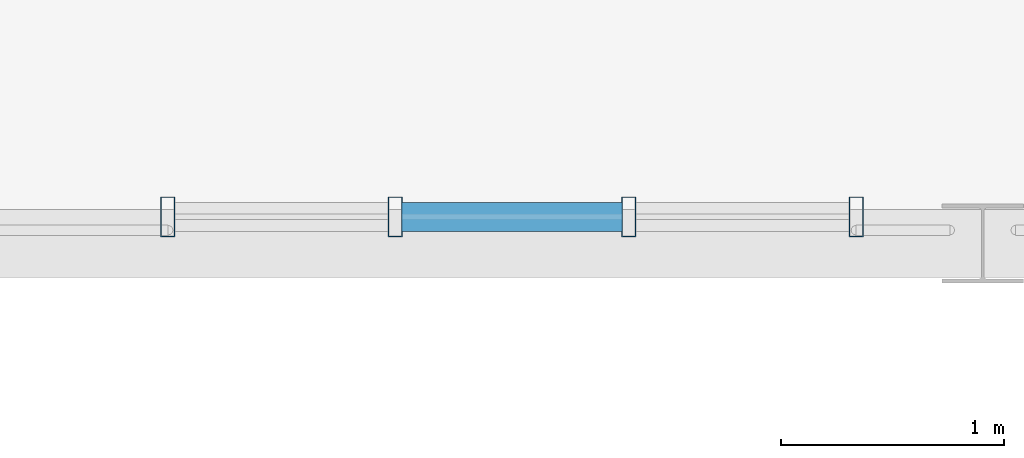
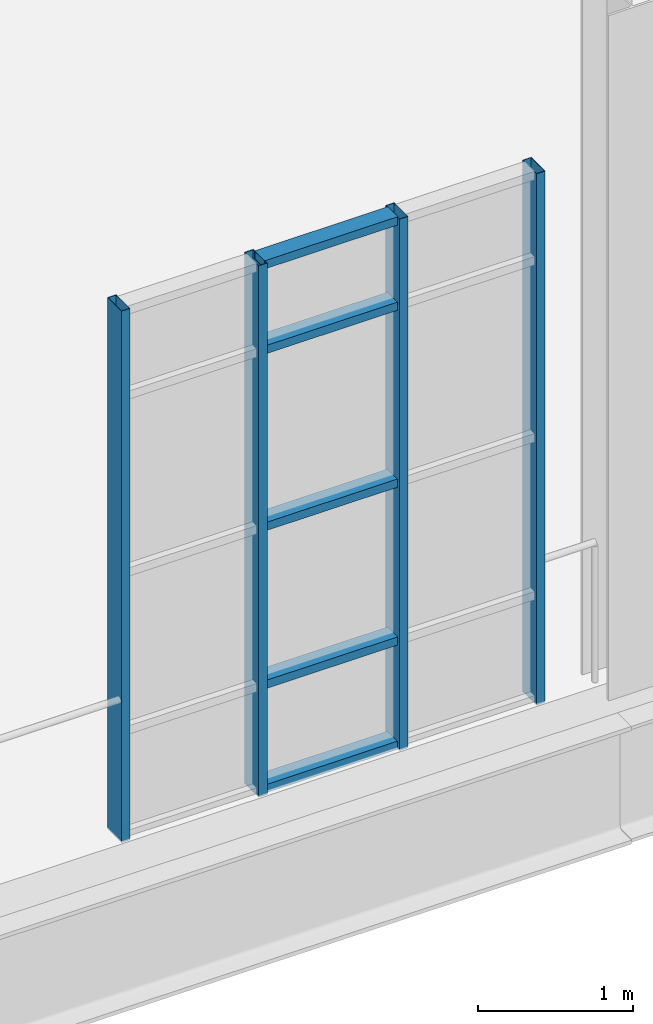
# One storey, part 42 of 189: 9 members, 1 element without a shape of its own.
"""IFC4 building model written with IfcOpenShell, lengths in metres."""

from ifc_helpers import new_model, si_unit, direction, frame, origin, origin_2d, place, context, subcontext, project, spatial, hollow_rectangle, extrude, material, layer, layer_set, material_profile, profile_set, type_object, element, aggregate, save


model = new_model("IFC4")

# Units and contexts
model_context = context("Model", 3, precision=1e-05, world=origin(), true_north=direction((0.0, 1.0)))
body_context = subcontext(model_context, "Body", "Model", "MODEL_VIEW")
ifc_project = project(units=[si_unit("LENGTHUNIT", "METRE"), si_unit("AREAUNIT", "SQUARE_METRE"), si_unit("VOLUMEUNIT", "CUBIC_METRE"), si_unit("PLANEANGLEUNIT", "RADIAN"), si_unit("MASSUNIT", "GRAM", prefix="KILO"), si_unit("THERMODYNAMICTEMPERATUREUNIT", "KELVIN"), si_unit("POWERUNIT", "WATT")], contexts=[model_context])

# Site, building, storey
site_placement = place(None, origin())
site = spatial("IfcSite", under=ifc_project, at=site_placement, CompositionType="ELEMENT")
building_placement = place(site_placement, origin())
building = spatial("IfcBuilding", under=site, at=building_placement, Name="Zelmaris Science Centre", CompositionType="ELEMENT")
storey_placement = place(building_placement, origin())
storey = spatial("IfcBuildingStorey", under=building, at=storey_placement, Name="L00", CompositionType="ELEMENT", Elevation=0.0)

# Curtain wall, members
ifc_material = material(Name="Anodised architectural aluminium 6063-T6", Category="aluminium")
ifc_layer = layer(ifc_material, 0.2099609375, Name="Anodised architectural aluminium 6063-T6")
ifc_layer_set = layer_set([ifc_layer], Name="Anodised architectural aluminium 6063-T6")
curtain_wall_type = type_object("IfcCurtainWallType", Name="Curtain Wall CW-03", PredefinedType="USERDEFINED", material=ifc_layer_set)
curtain_wall_placement = place(storey_placement, origin())
curtain_wall = element("IfcCurtainWall", 1, at=curtain_wall_placement, inside=storey, type_object=curtain_wall_type, Name="L00 Unitised curtain wall 35", ObjectType="GLAZED CURTAIN WALL", PredefinedType="USERDEFINED")
ifc_material_profile_1 = material_profile(ifc_material, hollow_rectangle(XDim=0.06494140625, YDim=0.179931640625, WallThickness=0.00390625, at=origin_2d()), Name="ALU-MUL-65X180")
ifc_profile_set_1 = profile_set([ifc_material_profile_1], Name="Anodised architectural aluminium 6063-T6")
member_type_1 = type_object("IfcMemberType", Name="ALU-MUL-65X180", PredefinedType="MULLION", material=ifc_profile_set_1)
member_1_placement = place(storey_placement, frame((62.431396484375, 64.1201171875, -0.014892578125), z_axis=(0.0, 0.0, 1.0), x_axis=(-1.0, 0.0, 0.0)))
member_1 = element("IfcMember", 2, at=member_1_placement, type_object=member_type_1, Name="CW-03 mullion 1", PredefinedType="MULLION", context=body_context, shape_type="SweptSolid", body=[
    extrude(hollow_rectangle(XDim=0.06494140625, YDim=0.179931640625, WallThickness=0.00390625, at=origin_2d()), origin(), (0.0, 0.0, 1.0), 4.18798828125),
])
member_2_placement = place(storey_placement, frame((61.409912109375, 64.1201171875, -0.014892578125), z_axis=(0.0, 0.0, 1.0), x_axis=(-1.0, 0.0, 0.0)))
member_2 = element("IfcMember", 3, at=member_2_placement, type_object=member_type_1, Name="CW-03 mullion 2", PredefinedType="MULLION", context=body_context, shape_type="SweptSolid", body=[
    extrude(hollow_rectangle(XDim=0.06494140625, YDim=0.179931640625, WallThickness=0.00390625, at=origin_2d()), origin(), (0.0, 0.0, 1.0), 4.18798828125),
])
member_3_placement = place(storey_placement, frame((60.360107421875, 64.1201171875, -0.014892578125), z_axis=(0.0, 0.0, 1.0), x_axis=(-1.0, 0.0, 0.0)))
member_3 = element("IfcMember", 4, at=member_3_placement, type_object=member_type_1, Name="CW-03 mullion 3", PredefinedType="MULLION", context=body_context, shape_type="SweptSolid", body=[
    extrude(hollow_rectangle(XDim=0.06494140625, YDim=0.179931640625, WallThickness=0.00390625, at=origin_2d()), origin(), (0.0, 0.0, 1.0), 4.18798828125),
])
member_4_placement = place(storey_placement, frame((59.33837890625, 64.1201171875, -0.014892578125), z_axis=(0.0, 0.0, 1.0), x_axis=(-1.0, 0.0, 0.0)))
member_4 = element("IfcMember", 5, at=member_4_placement, type_object=member_type_1, Name="CW-03 mullion 4", PredefinedType="MULLION", context=body_context, shape_type="SweptSolid", body=[
    extrude(hollow_rectangle(XDim=0.06494140625, YDim=0.179931640625, WallThickness=0.00390625, at=origin_2d()), origin(), (0.0, 0.0, 1.0), 4.18798828125),
])
ifc_material_profile_2 = material_profile(ifc_material, hollow_rectangle(XDim=0.06494140625, YDim=0.1298828125, WallThickness=0.00341796875, at=origin_2d()), Name="ALU-TRN-65X130")
ifc_profile_set_2 = profile_set([ifc_material_profile_2], Name="Anodised architectural aluminium 6063-T6")
member_type_2 = type_object("IfcMemberType", Name="ALU-TRN-65X130", PredefinedType="USERDEFINED", material=ifc_profile_set_2)
member_5_placement = place(storey_placement, frame((61.381591796875, 64.1201171875, 0.013427734375), z_axis=(-1.0, 0.0, 0.0), x_axis=(0.0, 0.0, 1.0)))
member_5 = element("IfcMember", 6, at=member_5_placement, type_object=member_type_2, Name="CW-03 transom 2.1", ObjectType="TRANSOM", PredefinedType="USERDEFINED", context=body_context, shape_type="SweptSolid", body=[
    extrude(hollow_rectangle(XDim=0.06494140625, YDim=0.1298828125, WallThickness=0.00341796875, at=origin_2d()), origin(), (0.0, 0.0, 1.0), 0.9931640625),
])
member_6_placement = place(storey_placement, frame((61.381591796875, 64.1201171875, 0.8349609375), z_axis=(-1.0, 0.0, 0.0), x_axis=(0.0, 0.0, 1.0)))
member_6 = element("IfcMember", 7, at=member_6_placement, type_object=member_type_2, Name="CW-03 transom 2.2", ObjectType="TRANSOM", PredefinedType="USERDEFINED", context=body_context, shape_type="SweptSolid", body=[
    extrude(hollow_rectangle(XDim=0.06494140625, YDim=0.1298828125, WallThickness=0.00341796875, at=origin_2d()), origin(), (0.0, 0.0, 1.0), 0.9931640625),
])
member_7_placement = place(storey_placement, frame((61.381591796875, 64.1201171875, 2.0791015625), z_axis=(-1.0, 0.0, 0.0), x_axis=(0.0, 0.0, 1.0)))
member_7 = element("IfcMember", 8, at=member_7_placement, type_object=member_type_2, Name="CW-03 transom 2.3", ObjectType="TRANSOM", PredefinedType="USERDEFINED", context=body_context, shape_type="SweptSolid", body=[
    extrude(hollow_rectangle(XDim=0.06494140625, YDim=0.1298828125, WallThickness=0.00341796875, at=origin_2d()), origin(), (0.0, 0.0, 1.0), 0.9931640625),
])
member_8_placement = place(storey_placement, frame((61.381591796875, 64.1201171875, 3.472900390625), z_axis=(-1.0, 0.0, 0.0), x_axis=(0.0, 0.0, 1.0)))
member_8 = element("IfcMember", 9, at=member_8_placement, type_object=member_type_2, Name="CW-03 transom 2.4", ObjectType="TRANSOM", PredefinedType="USERDEFINED", context=body_context, shape_type="SweptSolid", body=[
    extrude(hollow_rectangle(XDim=0.06494140625, YDim=0.1298828125, WallThickness=0.00341796875, at=origin_2d()), origin(), (0.0, 0.0, 1.0), 0.9931640625),
])
member_9_placement = place(storey_placement, frame((61.381591796875, 64.1201171875, 4.14453125), z_axis=(-1.0, 0.0, 0.0), x_axis=(0.0, 0.0, 1.0)))
member_9 = element("IfcMember", 10, at=member_9_placement, type_object=member_type_2, Name="CW-03 transom 2.5", ObjectType="TRANSOM", PredefinedType="USERDEFINED", context=body_context, shape_type="SweptSolid", body=[
    extrude(hollow_rectangle(XDim=0.06494140625, YDim=0.1298828125, WallThickness=0.00341796875, at=origin_2d()), origin(), (0.0, 0.0, 1.0), 0.9931640625),
])
aggregate(curtain_wall, [member_1, member_2, member_3, member_4, member_5, member_6, member_7, member_8, member_9])

save(model, "model.ifc")
